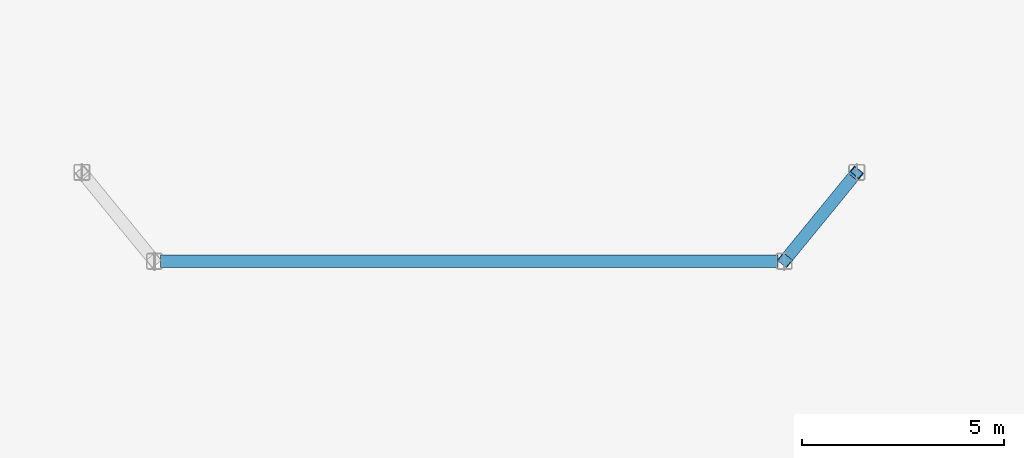
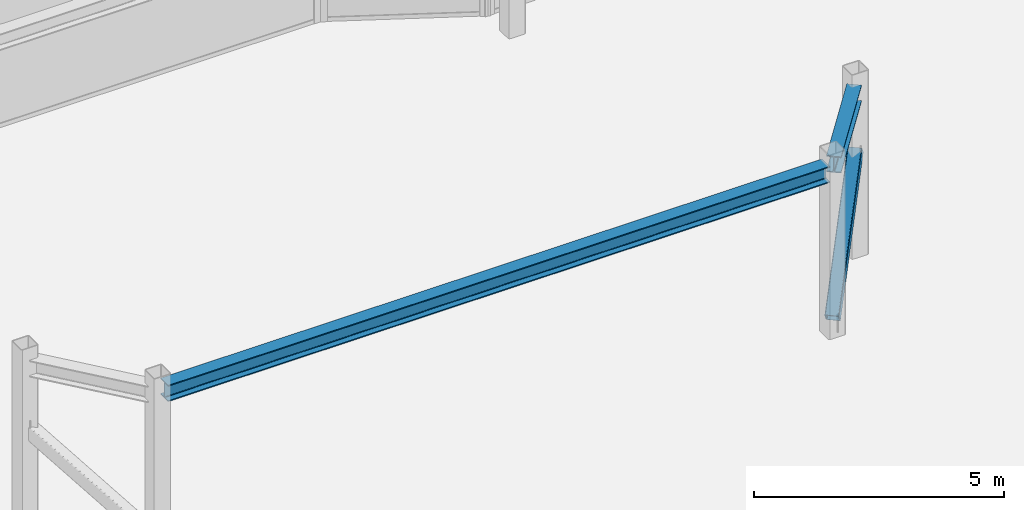
# One storey, part 5 of 15: 2 beams, 1 member.
"""IFC4 building model written with IfcOpenShell, lengths in metres."""

import ifcopenshell
import ifcopenshell.guid

model = None  # the IFC model being written
_history = None  # IfcOwnerHistory: only IFC2X3 demands one
_inside = {}  # id of a spatial element -> (the spatial element, [elements in it])
_under = {}  # id of a project, library or spatial element -> (it, [spatial elements below it])
_declared = {}  # id of a project -> (the project, [libraries it declares])
_typed = {}  # id of a type object -> (the type object, [elements of that type])
_made_of = {}  # id of a material, layer set ... -> (it, [elements and type objects made of it])


def new_model(schema):
    """Start an empty IFC model of exactly this schema.

    Asked for "IFC4X3", IfcOpenShell would pick the latest addendum, in which some entities
    have other attributes; the version numbers below select the first issue.
    IFC2X3 requires an IfcOwnerHistory on every rooted entity: one is made here for all.
    """
    global model, _history
    if schema == "IFC4X3":
        model = ifcopenshell.file(schema_version=(4, 3, 0, 0))
    else:
        model = ifcopenshell.file(schema=schema)
    _inside.clear()
    _under.clear()
    _declared.clear()
    _typed.clear()
    _made_of.clear()
    _history = None
    if model.schema == "IFC2X3":
        org = make("IfcOrganization", Name="unknown")
        user = make(
            "IfcPersonAndOrganization",
            ThePerson=make("IfcPerson", FamilyName="unknown"),
            TheOrganization=org,
        )
        app = make(
            "IfcApplication",
            ApplicationDeveloper=org,
            Version="unknown",
            ApplicationFullName="unknown",
            ApplicationIdentifier="unknown",
        )
        _history = make(
            "IfcOwnerHistory",
            OwningUser=user,
            OwningApplication=app,
            ChangeAction="ADDED",
            CreationDate=0,
        )
    return model


def make(cls, **values):
    """One entity of the class cls with the attributes given. An attribute that is None is left unset."""
    return model.create_entity(
        cls, **{name: value for name, value in values.items() if value is not None}
    )


def rooted(cls, **values):
    """An entity with a GlobalId (a new one), such as an element, a storey or a relation."""
    return make(cls, GlobalId=ifcopenshell.guid.new(), OwnerHistory=_history, **values)


def si_unit(unit_type, name, prefix=None):
    """IfcSIUnit, for example si_unit("LENGTHUNIT", "METRE", prefix="MILLI")."""
    return make("IfcSIUnit", UnitType=unit_type, Prefix=prefix, Name=name)


def assignment(units):
    """IfcUnitAssignment: the units of a project."""
    return None if units is None else make("IfcUnitAssignment", Units=units)


def point(xyz):
    """IfcCartesianPoint."""
    return None if xyz is None else make("IfcCartesianPoint", Coordinates=xyz)


def direction(xyz):
    """IfcDirection."""
    return None if xyz is None else make("IfcDirection", DirectionRatios=xyz)


def frame(location, z_axis=None, x_axis=None):
    """IfcAxis2Placement3D, a coordinate frame: its origin and axes. An axis left out is left unset."""
    return make(
        "IfcAxis2Placement3D",
        Location=point(location),
        Axis=direction(z_axis),
        RefDirection=direction(x_axis),
    )


def frame_2d(location, x_axis=None):
    """IfcAxis2Placement2D, a coordinate frame in the plane: its origin and x axis."""
    return make(
        "IfcAxis2Placement2D", Location=point(location), RefDirection=direction(x_axis)
    )


def origin():
    """The frame at (0, 0, 0) with its axes left unset."""
    return frame((0.0, 0.0, 0.0))


def origin_2d():
    """The frame at (0, 0) in the plane with its x axis left unset."""
    return frame_2d((0.0, 0.0))


def place(relative_to, where):
    """IfcLocalPlacement: puts the frame where relative to a parent placement (None: the world)."""
    return make(
        "IfcLocalPlacement", PlacementRelTo=relative_to, RelativePlacement=where
    )


def context(
    kind, dimensions, precision=None, world=None, true_north=None, identifier=None
):
    """IfcGeometricRepresentationContext, for example the 3D "Model" context."""
    return make(
        "IfcGeometricRepresentationContext",
        ContextIdentifier=identifier,
        ContextType=kind,
        CoordinateSpaceDimension=dimensions,
        Precision=precision,
        WorldCoordinateSystem=world,
        TrueNorth=true_north,
    )


def subcontext(parent, identifier, kind, view, scale=None):
    """IfcGeometricRepresentationSubContext, for example "Body" below "Model"."""
    return make(
        "IfcGeometricRepresentationSubContext",
        ContextIdentifier=identifier,
        ContextType=kind,
        ParentContext=parent,
        TargetScale=scale,
        TargetView=view,
    )


def project(units=None, contexts=None):
    """IfcProject with its units and contexts."""
    return rooted(
        "IfcProject",
        Name="project",
        RepresentationContexts=contexts,
        UnitsInContext=assignment(units),
    )


def spatial(cls, under=None, at=None, **own):
    """A site, building, storey or space (cls), placed at a placement, below another one or the project."""
    s = rooted(cls, ObjectPlacement=at, **own)
    if under is not None:
        _under.setdefault(under.id(), (under, []))[1].append(s)
    return s


def profile(cls, at=None, kind="AREA", **sizes):
    """A parametric profile (cls). Its sizes go by their IFC names, for example OverallWidth=200.0."""
    return make(cls, ProfileType=kind, Position=at, **sizes)


def hollow_rectangle(**sizes):
    """IfcRectangleHollowProfileDef."""
    return profile("IfcRectangleHollowProfileDef", **sizes)


def i_section(**sizes):
    """IfcIShapeProfileDef."""
    return profile("IfcIShapeProfileDef", **sizes)


def extrude(swept, where, along, depth):
    """IfcExtrudedAreaSolid: the profile swept, set in the frame where, extruded along a direction by depth."""
    return make(
        "IfcExtrudedAreaSolid",
        SweptArea=swept,
        Position=where,
        ExtrudedDirection=direction(along),
        Depth=depth,
    )


def shape(context_of_items, identifier, shape_type, items):
    """IfcShapeRepresentation: the items that make up one representation, for example the "Body"."""
    return make(
        "IfcShapeRepresentation",
        ContextOfItems=context_of_items,
        RepresentationIdentifier=identifier,
        RepresentationType=shape_type,
        Items=items,
    )


def material(Name=None, Category=None):
    """IfcMaterial."""
    return make("IfcMaterial", Name=Name, Category=Category)


def material_profile(
    of_material, cross_section, Name=None, Category=None, Priority=None
):
    """IfcMaterialProfile: a cross section and its material."""
    return make(
        "IfcMaterialProfile",
        Name=Name,
        Material=of_material,
        Profile=cross_section,
        Priority=Priority,
        Category=Category,
    )


def profile_set(profiles, Name=None, composite=None):
    """IfcMaterialProfileSet."""
    return make(
        "IfcMaterialProfileSet",
        Name=Name,
        MaterialProfiles=profiles,
        CompositeProfile=composite,
    )


def made_of(thing, what):
    """Note that an element or type object is made of a material, layer set ...; save() writes the relation."""
    if what is not None:
        _made_of.setdefault(what.id(), (what, []))[1].append(thing)
    return thing


def type_object(cls, material=None, **own):
    """A type object (cls), such as IfcWallType, which elements share."""
    return made_of(rooted(cls, **own), material)


def element(
    cls,
    number,
    at=None,
    inside=None,
    cuts=None,
    type_object=None,
    material=None,
    context=None,
    identifier="Body",
    shape_type=None,
    held_by="IfcProductDefinitionShape",
    body=None,
    shapes=None,
    **own,
):
    """One element of the class cls, such as IfcWall. Its Tag is "e" and its number.

    at: its placement. inside: the storey or other place that contains it. cuts: it is an
    opening in that element (IfcRelVoidsElement). A single representation is given by context,
    identifier, shape_type and body (its items); several are given by shapes. held_by: the class
    of the entity that holds the representations. save() writes the other relations.
    """
    e = rooted(cls, Tag="e%d" % number, ObjectPlacement=at, **own)
    if body is not None:
        shapes = [shape(context, identifier, shape_type, body)]
    if shapes is not None:
        e.Representation = make(held_by, Representations=shapes)
    if inside is not None:
        _inside.setdefault(inside.id(), (inside, []))[1].append(e)
    if cuts is not None:
        rooted(
            "IfcRelVoidsElement", RelatingBuildingElement=cuts, RelatedOpeningElement=e
        )
    if type_object is not None:
        _typed.setdefault(type_object.id(), (type_object, []))[1].append(e)
    return made_of(e, material)


def aggregate(whole, parts):
    """IfcRelAggregates: a whole, such as a stair, and the parts it consists of."""
    return rooted("IfcRelAggregates", RelatingObject=whole, RelatedObjects=parts)


def save(model, path):
    """Write the relations noted so far, then the file.

    IfcRelAggregates (storeys below a building ...), IfcRelContainedInSpatialStructure (elements
    in a storey), IfcRelDefinesByType, IfcRelAssociatesMaterial and IfcRelDeclares: one each for
    every whole, place, type object, material and project.
    """
    for whole, parts in _under.values():
        aggregate(whole, parts)
    for where, things in _inside.values():
        rooted(
            "IfcRelContainedInSpatialStructure",
            RelatedElements=things,
            RelatingStructure=where,
        )
    for kind, things in _typed.values():
        rooted("IfcRelDefinesByType", RelatedObjects=things, RelatingType=kind)
    for what, things in _made_of.values():
        rooted("IfcRelAssociatesMaterial", RelatedObjects=things, RelatingMaterial=what)
    for by, libraries in _declared.values():
        rooted("IfcRelDeclares", RelatingContext=by, RelatedDefinitions=libraries)
    model.write(path)


model = new_model("IFC4")

# Units and contexts
model_context = context("Model", 3, precision=1e-05, world=origin(), true_north=direction((0.0, 1.0)))
body_context = subcontext(model_context, "Body", "Model", "MODEL_VIEW")
ifc_project = project(units=[si_unit("LENGTHUNIT", "METRE"), si_unit("AREAUNIT", "SQUARE_METRE"), si_unit("VOLUMEUNIT", "CUBIC_METRE"), si_unit("PLANEANGLEUNIT", "RADIAN"), si_unit("MASSUNIT", "GRAM", prefix="KILO")], contexts=[model_context])

# Site, building, storey
site_placement = place(None, origin())
site = spatial("IfcSite", under=ifc_project, at=site_placement, CompositionType="ELEMENT")
building_placement = place(site_placement, origin())
building = spatial("IfcBuilding", under=site, at=building_placement, Name="Tarnavaz Court Tower", CompositionType="ELEMENT")
storey_placement = place(building_placement, frame((0.0, 0.0, 295.050048828125)))
storey = spatial("IfcBuildingStorey", under=building, at=storey_placement, Name="C04", CompositionType="ELEMENT", Elevation=295.050048828125)

# Beams
ifc_material = material(Name="Steel S355", Category="steel")
ifc_material_profile_1 = material_profile(ifc_material, i_section(OverallWidth=0.300048828125, OverallDepth=0.39990234375, WebThickness=0.013427734375, FlangeThickness=0.02392578125, FilletRadius=0.027099609375, at=origin_2d()), Name="HEB 400")
ifc_profile_set_1 = profile_set([ifc_material_profile_1], Name="Steel S355")
beam_type = type_object("IfcBeamType", Name="BM-G-HEB400", PredefinedType="USERDEFINED", material=ifc_profile_set_1)
beam_1_placement = place(storey_placement, frame((-7.64990234375, 7.800048828125, 4.0), z_axis=(1.0, 0.0, 0.0), x_axis=(0.0, 1.0, 0.0)))
element("IfcBeam", 1, at=beam_1_placement, inside=storey, type_object=beam_type, Name="C04 Beam CRG-IW-NW-IW-NE", ObjectType="GIRDER", PredefinedType="USERDEFINED", context=body_context, shape_type="SweptSolid", body=[
    extrude(i_section(OverallWidth=0.300048828125, OverallDepth=0.39990234375, WebThickness=0.013427734375, FlangeThickness=0.02392578125, FilletRadius=0.027099609375, at=origin_2d()), origin(), (0.0, 0.0, 1.0), 15.2998046875),
])
beam_2_placement = place(storey_placement, frame((9.5048828125, 9.8837890625, 4.0), z_axis=(-0.633206414362, -0.773982969329, 0.0), x_axis=(0.773982969329, -0.633206414362, 0.0)))
element("IfcBeam", 2, at=beam_2_placement, inside=storey, type_object=beam_type, Name="C04 Beam CRG-CE-NI-IW-NE", ObjectType="GIRDER", PredefinedType="USERDEFINED", context=body_context, shape_type="SweptSolid", body=[
    extrude(i_section(OverallWidth=0.300048828125, OverallDepth=0.39990234375, WebThickness=0.013427734375, FlangeThickness=0.02392578125, FilletRadius=0.027099609375, at=origin_2d()), origin(), (0.0, 0.0, 1.0), 2.54248046875),
])

# Member
ifc_material_profile_2 = material_profile(ifc_material, hollow_rectangle(XDim=0.300048828125, YDim=0.300048828125, WallThickness=0.01611328125, InnerFilletRadius=0.01611328125, OuterFilletRadius=0.031982421875, at=origin_2d()), Name="SHS 300X300X16")
ifc_profile_set_2 = profile_set([ifc_material_profile_2], Name="Steel S355")
member_type = type_object("IfcMemberType", Name="MB-CR-SHS200", PredefinedType="USERDEFINED", material=ifc_profile_set_2)
member_placement = place(storey_placement, frame((7.800048828125, 7.800048828125, 0.349853515625), z_axis=(0.505044427904, 0.617246078916, 0.603272246922), x_axis=(-0.773941992102, 0.633256498476, 0.0)))
element("IfcMember", 3, at=member_placement, inside=storey, type_object=member_type, Name="C04 Crown Frame E Core Brace Strut", ObjectType="CROWN FRAME", PredefinedType="USERDEFINED", context=body_context, shape_type="SweptSolid", body=[
    extrude(hollow_rectangle(XDim=0.300048828125, YDim=0.300048828125, WallThickness=0.01611328125, InnerFilletRadius=0.01611328125, OuterFilletRadius=0.031982421875, at=origin_2d()), origin(), (0.0, 0.0, 1.0), 3.564208984375),
])

save(model, "model.ifc")
